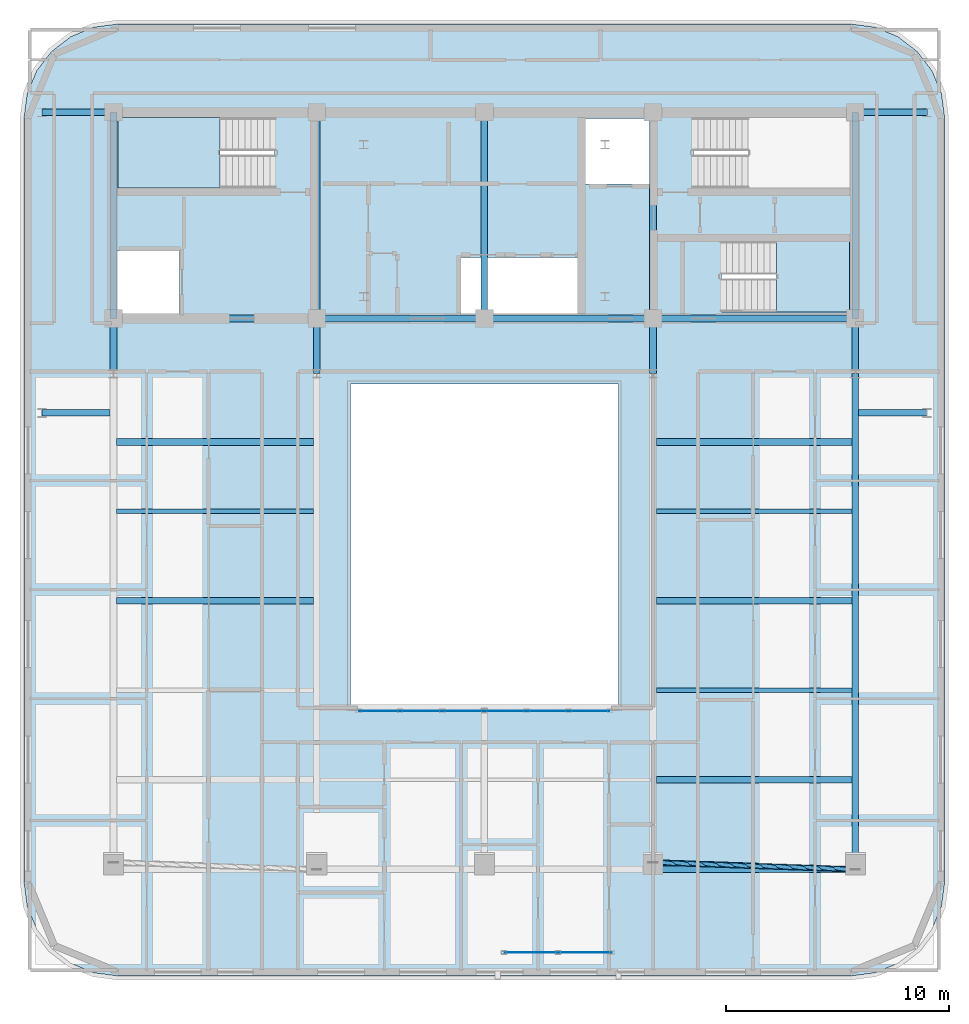
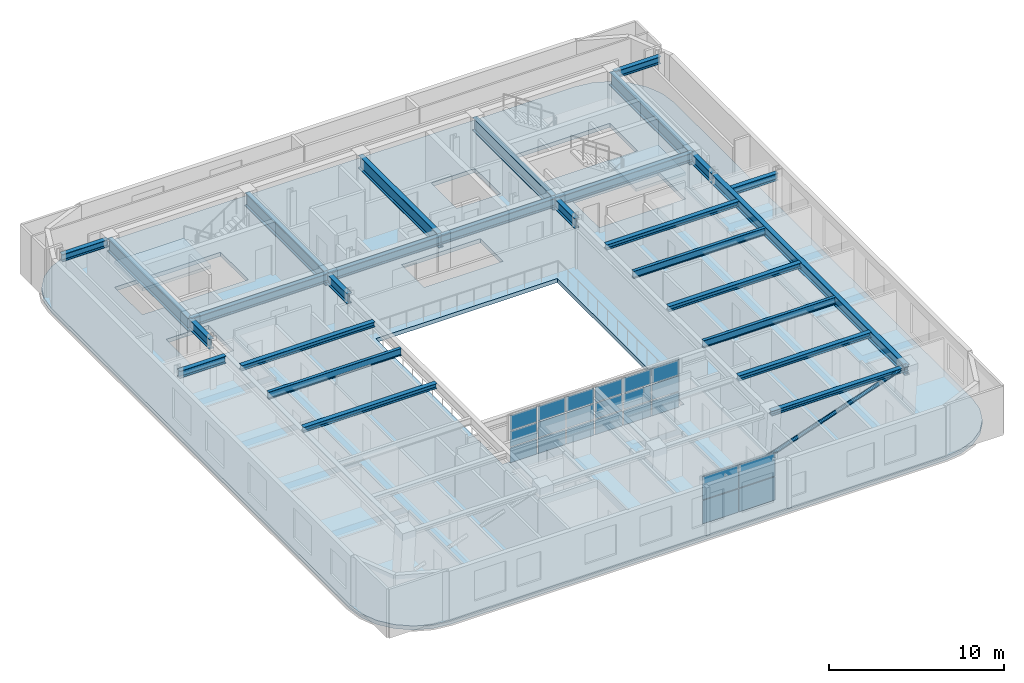
# One storey, part 4 of 14: 27 beams, 22 plates, 3 slabs, 1 member, 4 elements without a shape of their own.
"""IFC4 building model written with IfcOpenShell, lengths in metres."""

from ifc_helpers import new_model, si_unit, direction, frame, origin, origin_2d, place, context, subcontext, project, spatial, polyline, rectangle, hollow_circle, i_section, outline, extrude, material, layer, layer_set, material_profile, profile_set, type_object, element, aggregate, save


model = new_model("IFC4")

# Units and contexts
model_context = context("Model", 3, precision=1e-05, world=origin(), true_north=direction((0.0, 1.0)))
body_context = subcontext(model_context, "Body", "Model", "MODEL_VIEW")
ifc_project = project(units=[si_unit("LENGTHUNIT", "METRE"), si_unit("AREAUNIT", "SQUARE_METRE"), si_unit("VOLUMEUNIT", "CUBIC_METRE"), si_unit("PLANEANGLEUNIT", "RADIAN"), si_unit("MASSUNIT", "GRAM", prefix="KILO")], contexts=[model_context])

# Site, building, storey
site_placement = place(None, origin())
site = spatial("IfcSite", under=ifc_project, at=site_placement, CompositionType="ELEMENT")
building_placement = place(site_placement, origin())
building = spatial("IfcBuilding", under=site, at=building_placement, Name="Zarnavel Station Tower", CompositionType="ELEMENT")
storey_placement = place(building_placement, frame((0.0, 0.0, 251.0)))
storey = spatial("IfcBuildingStorey", under=building, at=storey_placement, Name="L68", CompositionType="ELEMENT", Elevation=251.0)

# Member
ifc_material_1 = material(Name="Steel S355J2", Category="steel")
ifc_material_profile_1 = material_profile(ifc_material_1, hollow_circle(Radius=0.122314453125, WallThickness=0.010009765625, at=origin_2d()), Name="CHS244.5x10")
ifc_profile_set_1 = profile_set([ifc_material_profile_1], Name="Steel S355J2")
member_type = type_object("IfcMemberType", Name="DB_EXT_CHS245", PredefinedType="BRACE", material=ifc_profile_set_1)
member_placement = place(storey_placement, frame((36.35009765625, 3.482421875, 0.0), z_axis=(0.934954219705, -0.032032800772, 0.35331927025), x_axis=(0.034241266505, 0.999413595899, 0.0)))
element("IfcMember", 1, at=member_placement, inside=storey, type_object=member_type, Name="L68 Persian Exterior Diagonal Frame Brace 2", PredefinedType="BRACE", context=body_context, shape_type="SweptSolid", body=[
    extrude(hollow_circle(Radius=0.122314453125, WallThickness=0.010009765625, at=origin_2d()), origin(), (0.0, 0.0, 1.0), 9.679443359375),
])

# Beams
ifc_material_2 = material(Name="Steel S355J2", Category="steel")
ifc_material_profile_2 = material_profile(ifc_material_2, i_section(OverallWidth=0.300048828125, OverallDepth=0.320068359375, WebThickness=0.011474609375, FlangeThickness=0.0205078125, FilletRadius=0.027099609375, at=origin_2d()), Name="HEB320")
ifc_profile_set_2 = profile_set([ifc_material_profile_2], Name="Steel S355J2")
beam_type_1 = type_object("IfcBeamType", Name="EB_HEB320", PredefinedType="SPANDREL", material=ifc_profile_set_2)
beam_1_placement = place(storey_placement, frame((36.35009765625, 3.17236328125, 3.260009765625), z_axis=(1.0, 0.0, 0.0), x_axis=(0.0, 1.0, 0.0)))
element("IfcBeam", 2, at=beam_1_placement, inside=storey, type_object=beam_type_1, Name="L68 South Raked Spandrel 4", PredefinedType="SPANDREL", context=body_context, shape_type="SweptSolid", body=[
    extrude(i_section(OverallWidth=0.300048828125, OverallDepth=0.320068359375, WebThickness=0.011474609375, FlangeThickness=0.0205078125, FilletRadius=0.027099609375, at=origin_2d()), origin(), (0.0, 0.0, 1.0), 9.0498046875),
])
ifc_material_3 = material(Name="Steel S355J2", Category="steel")
ifc_material_profile_3 = material_profile(ifc_material_3, i_section(OverallWidth=0.300048828125, OverallDepth=0.35009765625, WebThickness=0.010009765625, FlangeThickness=0.017578125, FilletRadius=0.027099609375, at=origin_2d()), Name="HEA360")
ifc_profile_set_3 = profile_set([ifc_material_profile_3], Name="Steel S355J2")
beam_type_2 = type_object("IfcBeamType", Name="FB_HEA360", PredefinedType="BEAM", material=ifc_profile_set_3)
beam_2_placement = place(storey_placement, frame((36.4951171875, 7.177001953125, 3.2451171875), z_axis=(1.0, 0.0, 0.0), x_axis=(0.0, 1.0, 0.0)))
element("IfcBeam", 3, at=beam_2_placement, inside=storey, type_object=beam_type_2, Name="L68 East Bay Beam 1", PredefinedType="BEAM", context=body_context, shape_type="SweptSolid", body=[
    extrude(i_section(OverallWidth=0.300048828125, OverallDepth=0.35009765625, WebThickness=0.010009765625, FlangeThickness=0.017578125, FilletRadius=0.027099609375, at=origin_2d()), origin(), (0.0, 0.0, 1.0), 8.759765625),
])
beam_3_placement = place(storey_placement, frame((12.344970703125, 15.186279296875, 3.2451171875), z_axis=(1.0, 0.0, 0.0), x_axis=(0.0, 1.0, 0.0)))
element("IfcBeam", 4, at=beam_3_placement, inside=storey, type_object=beam_type_2, Name="L68 West Bay Beam 3", PredefinedType="BEAM", context=body_context, shape_type="SweptSolid", body=[
    extrude(i_section(OverallWidth=0.300048828125, OverallDepth=0.35009765625, WebThickness=0.010009765625, FlangeThickness=0.017578125, FilletRadius=0.027099609375, at=origin_2d()), origin(), (0.0, 0.0, 1.0), 8.81005859375),
])
beam_4_placement = place(storey_placement, frame((36.4951171875, 15.186279296875, 3.2451171875), z_axis=(1.0, 0.0, 0.0), x_axis=(0.0, 1.0, 0.0)))
element("IfcBeam", 5, at=beam_4_placement, inside=storey, type_object=beam_type_2, Name="L68 East Bay Beam 3", PredefinedType="BEAM", context=body_context, shape_type="SweptSolid", body=[
    extrude(i_section(OverallWidth=0.300048828125, OverallDepth=0.35009765625, WebThickness=0.010009765625, FlangeThickness=0.017578125, FilletRadius=0.027099609375, at=origin_2d()), origin(), (0.0, 0.0, 1.0), 8.759765625),
])
beam_5_placement = place(storey_placement, frame((12.344970703125, 22.29541015625, 3.2451171875), z_axis=(1.0, 0.0, 0.0), x_axis=(0.0, 1.0, 0.0)))
element("IfcBeam", 6, at=beam_5_placement, inside=storey, type_object=beam_type_2, Name="L68 West Bay Beam 5", PredefinedType="BEAM", context=body_context, shape_type="SweptSolid", body=[
    extrude(i_section(OverallWidth=0.300048828125, OverallDepth=0.35009765625, WebThickness=0.010009765625, FlangeThickness=0.017578125, FilletRadius=0.027099609375, at=origin_2d()), origin(), (0.0, 0.0, 1.0), 8.81005859375),
])
beam_6_placement = place(storey_placement, frame((36.4951171875, 22.29541015625, 3.2451171875), z_axis=(1.0, 0.0, 0.0), x_axis=(0.0, 1.0, 0.0)))
element("IfcBeam", 7, at=beam_6_placement, inside=storey, type_object=beam_type_2, Name="L68 East Bay Beam 5", PredefinedType="BEAM", context=body_context, shape_type="SweptSolid", body=[
    extrude(i_section(OverallWidth=0.300048828125, OverallDepth=0.35009765625, WebThickness=0.010009765625, FlangeThickness=0.017578125, FilletRadius=0.027099609375, at=origin_2d()), origin(), (0.0, 0.0, 1.0), 8.759765625),
])
ifc_material_4 = material(Name="Steel S355J2", Category="steel")
ifc_material_profile_4 = material_profile(ifc_material_4, i_section(OverallWidth=0.199951171875, OverallDepth=0.5, WebThickness=0.01025390625, FlangeThickness=0.01611328125, FilletRadius=0.02099609375, at=origin_2d()), Name="IPE500")
ifc_profile_set_4 = profile_set([ifc_material_profile_4], Name="Steel S355J2")
beam_type_3 = type_object("IfcBeamType", Name="FB_IPE500", PredefinedType="BEAM", material=ifc_profile_set_4)
beam_7_placement = place(storey_placement, frame((36.4951171875, 11.181640625, 3.169921875), z_axis=(1.0, 0.0, 0.0), x_axis=(0.0, 1.0, 0.0)))
element("IfcBeam", 8, at=beam_7_placement, inside=storey, type_object=beam_type_3, Name="L68 East Bay Beam 2", PredefinedType="BEAM", context=body_context, shape_type="SweptSolid", body=[
    extrude(i_section(OverallWidth=0.199951171875, OverallDepth=0.5, WebThickness=0.01025390625, FlangeThickness=0.01611328125, FilletRadius=0.02099609375, at=origin_2d()), origin(), (0.0, 0.0, 1.0), 8.759765625),
])
beam_8_placement = place(storey_placement, frame((12.344970703125, 19.19091796875, 3.169921875), z_axis=(1.0, 0.0, 0.0), x_axis=(0.0, 1.0, 0.0)))
element("IfcBeam", 9, at=beam_8_placement, inside=storey, type_object=beam_type_3, Name="L68 West Bay Beam 4", PredefinedType="BEAM", context=body_context, shape_type="SweptSolid", body=[
    extrude(i_section(OverallWidth=0.199951171875, OverallDepth=0.5, WebThickness=0.01025390625, FlangeThickness=0.01611328125, FilletRadius=0.02099609375, at=origin_2d()), origin(), (0.0, 0.0, 1.0), 8.81005859375),
])
beam_9_placement = place(storey_placement, frame((36.4951171875, 19.19091796875, 3.169921875), z_axis=(1.0, 0.0, 0.0), x_axis=(0.0, 1.0, 0.0)))
element("IfcBeam", 10, at=beam_9_placement, inside=storey, type_object=beam_type_3, Name="L68 East Bay Beam 4", PredefinedType="BEAM", context=body_context, shape_type="SweptSolid", body=[
    extrude(i_section(OverallWidth=0.199951171875, OverallDepth=0.5, WebThickness=0.01025390625, FlangeThickness=0.01611328125, FilletRadius=0.02099609375, at=origin_2d()), origin(), (0.0, 0.0, 1.0), 8.759765625),
])
ifc_material_5 = material(Name="Steel S355J2", Category="steel")
ifc_material_profile_5 = material_profile(ifc_material_5, i_section(OverallWidth=0.300048828125, OverallDepth=0.5, WebThickness=0.014404296875, FlangeThickness=0.028076171875, FilletRadius=0.027099609375, at=origin_2d()), Name="HEB500")
ifc_profile_set_5 = profile_set([ifc_material_profile_5], Name="Steel S355J2")
beam_type_4 = type_object("IfcBeamType", Name="FG_HEB500", PredefinedType="USERDEFINED", material=ifc_profile_set_5)
for number, where, z_axis, x_axis, name in (
    (11, (9.0, 23.60009765625, 3.169921875), (1.0, 0.0, 0.0), (0.0, 1.0, 0.0), "L68 West Wing South Tie 1"),
    (12, (9.0, 37.050048828125, 3.169921875), (1.0, 0.0, 0.0), (0.0, 1.0, 0.0), "L68 West Wing North Tie 1"),
):
    element("IfcBeam", number, at=place(storey_placement, frame(where, z_axis=z_axis, x_axis=x_axis)), inside=storey, type_object=beam_type_4, Name=name, ObjectType="GIRDER", PredefinedType="USERDEFINED", context=body_context, shape_type="SweptSolid", body=[
        extrude(i_section(OverallWidth=0.300048828125, OverallDepth=0.5, WebThickness=0.014404296875, FlangeThickness=0.028076171875, FilletRadius=0.027099609375, at=origin_2d()), origin(), (0.0, 0.0, 1.0), 3.054931640625),
    ])
for number, where, z_axis, x_axis, name in (
    (13, (45.544921875, 23.60009765625, 3.169921875), (1.0, 0.0, 0.0), (0.0, 1.0, 0.0), "L68 East Wing South Tie 1"),
    (14, (45.544921875, 37.050048828125, 3.169921875), (1.0, 0.0, 0.0), (0.0, 1.0, 0.0), "L68 East Wing North Tie 1"),
):
    element("IfcBeam", number, at=place(storey_placement, frame(where, z_axis=z_axis, x_axis=x_axis)), inside=storey, type_object=beam_type_4, Name=name, ObjectType="GIRDER", PredefinedType="USERDEFINED", context=body_context, shape_type="SweptSolid", body=[
        extrude(i_section(OverallWidth=0.300048828125, OverallDepth=0.5, WebThickness=0.014404296875, FlangeThickness=0.028076171875, FilletRadius=0.027099609375, at=origin_2d()), origin(), (0.0, 0.0, 1.0), 3.05517578125),
    ])
ifc_material_6 = material(Name="Steel S355J2", Category="steel")
ifc_material_profile_6 = material_profile(ifc_material_6, i_section(OverallWidth=0.300048828125, OverallDepth=0.60009765625, WebThickness=0.015380859375, FlangeThickness=0.030029296875, FilletRadius=0.027099609375, at=origin_2d()), Name="HEB600")
ifc_profile_set_6 = profile_set([ifc_material_profile_6], Name="Steel S355J2")
beam_type_5 = type_object("IfcBeamType", Name="FG_HEB600", PredefinedType="USERDEFINED", material=ifc_profile_set_6)
beam_10_placement = place(storey_placement, frame((12.199951171875, 27.820068359375, 3.1201171875), z_axis=(1.0, 0.0, 0.0), x_axis=(0.0, 1.0, 0.0)))
element("IfcBeam", 15, at=beam_10_placement, inside=storey, type_object=beam_type_5, Name="L68 Core Front Coupling Beam 1", ObjectType="GIRDER", PredefinedType="USERDEFINED", context=body_context, shape_type="SweptSolid", body=[
    extrude(i_section(OverallWidth=0.300048828125, OverallDepth=0.60009765625, WebThickness=0.015380859375, FlangeThickness=0.030029296875, FilletRadius=0.027099609375, at=origin_2d()), origin(), (0.0, 0.0, 1.0), 9.10009765625),
])
beam_11_placement = place(storey_placement, frame((21.300048828125, 27.820068359375, 3.1201171875), z_axis=(1.0, 0.0, 0.0), x_axis=(0.0, 1.0, 0.0)))
element("IfcBeam", 16, at=beam_11_placement, inside=storey, type_object=beam_type_5, Name="L68 Core Front Coupling Beam 2", ObjectType="GIRDER", PredefinedType="USERDEFINED", context=body_context, shape_type="SweptSolid", body=[
    extrude(i_section(OverallWidth=0.300048828125, OverallDepth=0.60009765625, WebThickness=0.015380859375, FlangeThickness=0.030029296875, FilletRadius=0.027099609375, at=origin_2d()), origin(), (0.0, 0.0, 1.0), 7.5),
])
beam_12_placement = place(storey_placement, frame((28.800048828125, 27.820068359375, 3.1201171875), z_axis=(1.0, 0.0, 0.0), x_axis=(0.0, 1.0, 0.0)))
element("IfcBeam", 17, at=beam_12_placement, inside=storey, type_object=beam_type_5, Name="L68 Core Front Coupling Beam 3", ObjectType="GIRDER", PredefinedType="USERDEFINED", context=body_context, shape_type="SweptSolid", body=[
    extrude(i_section(OverallWidth=0.300048828125, OverallDepth=0.60009765625, WebThickness=0.015380859375, FlangeThickness=0.030029296875, FilletRadius=0.027099609375, at=origin_2d()), origin(), (0.0, 0.0, 1.0), 7.550048828125),
])
beam_13_placement = place(storey_placement, frame((36.35009765625, 27.820068359375, 3.1201171875), z_axis=(1.0, 0.0, 0.0), x_axis=(0.0, 1.0, 0.0)))
element("IfcBeam", 18, at=beam_13_placement, inside=storey, type_object=beam_type_5, Name="L68 Core Front Coupling Beam 4", ObjectType="GIRDER", PredefinedType="USERDEFINED", context=body_context, shape_type="SweptSolid", body=[
    extrude(i_section(OverallWidth=0.300048828125, OverallDepth=0.60009765625, WebThickness=0.015380859375, FlangeThickness=0.030029296875, FilletRadius=0.027099609375, at=origin_2d()), origin(), (0.0, 0.0, 1.0), 9.0498046875),
])
ifc_material_7 = material(Name="Steel S355J2", Category="steel")
ifc_material_profile_7 = material_profile(ifc_material_7, i_section(OverallWidth=0.300048828125, OverallDepth=0.699951171875, WebThickness=0.01708984375, FlangeThickness=0.031982421875, FilletRadius=0.027099609375, at=origin_2d()), Name="HEB700")
ifc_profile_set_7 = profile_set([ifc_material_profile_7], Name="Steel S355J2")
beam_type_6 = type_object("IfcBeamType", Name="FG_HEB700", PredefinedType="USERDEFINED", material=ifc_profile_set_7)
for number, where, z_axis, x_axis, name in (
    (19, (12.199951171875, 25.35009765625, 3.070068359375), (0.0, 1.0, 0.0), (-1.0, 0.0, 0.0), "L68 Inner-Zone NS Girder 1"),
    (20, (21.300048828125, 25.35009765625, 3.070068359375), (0.0, 1.0, 0.0), (-1.0, 0.0, 0.0), "L68 Inner-Zone NS Girder 2"),
    (21, (36.35009765625, 25.35009765625, 3.070068359375), (0.0, 1.0, 0.0), (-1.0, 0.0, 0.0), "L68 Inner-Zone NS Girder 4"),
):
    element("IfcBeam", number, at=place(storey_placement, frame(where, z_axis=z_axis, x_axis=x_axis)), inside=storey, type_object=beam_type_6, Name=name, ObjectType="GIRDER", PredefinedType="USERDEFINED", context=body_context, shape_type="SweptSolid", body=[
        extrude(i_section(OverallWidth=0.300048828125, OverallDepth=0.699951171875, WebThickness=0.01708984375, FlangeThickness=0.031982421875, FilletRadius=0.027099609375, at=origin_2d()), origin(), (0.0, 0.0, 1.0), 2.469970703125),
    ])
beam_14_placement = place(storey_placement, frame((45.39990234375, 3.17236328125, 3.070068359375), z_axis=(0.0, 1.0, 0.0), x_axis=(-1.0, 0.0, 0.0)))
element("IfcBeam", 22, at=beam_14_placement, inside=storey, type_object=beam_type_6, Name="L68 South-Zone NS Girder 5", ObjectType="GIRDER", PredefinedType="USERDEFINED", context=body_context, shape_type="SweptSolid", body=[
    extrude(i_section(OverallWidth=0.300048828125, OverallDepth=0.699951171875, WebThickness=0.01708984375, FlangeThickness=0.031982421875, FilletRadius=0.027099609375, at=origin_2d()), origin(), (0.0, 0.0, 1.0), 22.177734375),
])
beam_15_placement = place(storey_placement, frame((45.39990234375, 25.35009765625, 3.070068359375), z_axis=(0.0, 1.0, 0.0), x_axis=(-1.0, 0.0, 0.0)))
element("IfcBeam", 23, at=beam_15_placement, inside=storey, type_object=beam_type_6, Name="L68 Inner-Zone NS Girder 5", ObjectType="GIRDER", PredefinedType="USERDEFINED", context=body_context, shape_type="SweptSolid", body=[
    extrude(i_section(OverallWidth=0.300048828125, OverallDepth=0.699951171875, WebThickness=0.01708984375, FlangeThickness=0.031982421875, FilletRadius=0.027099609375, at=origin_2d()), origin(), (0.0, 0.0, 1.0), 2.469970703125),
])
ifc_material_8 = material(Name="Steel S460M", Category="steel")
ifc_material_profile_8 = material_profile(ifc_material_8, i_section(OverallWidth=0.302001953125, OverallDepth=0.909912109375, WebThickness=0.02099609375, FlangeThickness=0.0400390625, FilletRadius=0.030029296875, at=origin_2d()), Name="HEM900")
ifc_profile_set_8 = profile_set([ifc_material_profile_8], Name="Steel S460M")
beam_type_7 = type_object("IfcBeamType", Name="TG_HEM900", PredefinedType="USERDEFINED", material=ifc_profile_set_8)
for number, where, z_axis, x_axis, name in (
    (24, (12.199951171875, 27.820068359375, 2.965087890625), (0.0, 1.0, 0.0), (-1.0, 0.0, 0.0), "L68 Core Spine Coupling Girder 1"),
    (25, (21.300048828125, 27.820068359375, 2.965087890625), (0.0, 1.0, 0.0), (-1.0, 0.0, 0.0), "L68 Core Spine Coupling Girder 2"),
    (26, (28.800048828125, 27.820068359375, 2.965087890625), (0.0, 1.0, 0.0), (-1.0, 0.0, 0.0), "L68 Core Spine Coupling Girder 3"),
    (27, (36.35009765625, 27.820068359375, 2.965087890625), (0.0, 1.0, 0.0), (-1.0, 0.0, 0.0), "L68 Core Spine Coupling Girder 4"),
    (28, (45.39990234375, 27.820068359375, 2.965087890625), (0.0, 1.0, 0.0), (-1.0, 0.0, 0.0), "L68 Core Spine Coupling Girder 5"),
):
    element("IfcBeam", number, at=place(storey_placement, frame(where, z_axis=z_axis, x_axis=x_axis)), inside=storey, type_object=beam_type_7, Name=name, ObjectType="GIRDER", PredefinedType="USERDEFINED", context=body_context, shape_type="SweptSolid", body=[
        extrude(i_section(OverallWidth=0.302001953125, OverallDepth=0.909912109375, WebThickness=0.02099609375, FlangeThickness=0.0400390625, FilletRadius=0.030029296875, at=origin_2d()), origin(), (0.0, 0.0, 1.0), 9.22998046875),
    ])

# Curtain wall, plates
ifc_material_9 = material(Name="Aluminium Dark Anodised and Solar-Control Glass", Category="aluminium")
ifc_layer_1 = layer(ifc_material_9, 0.179931640625)
ifc_layer_set_1 = layer_set([ifc_layer_1], Name="CWS6")
curtain_wall_type = type_object("IfcCurtainWallType", Name="CWS6", PredefinedType="NOTDEFINED", material=ifc_layer_set_1)
curtain_wall_1_placement = place(storey_placement, origin())
curtain_wall_1 = element("IfcCurtainWall", 29, at=curtain_wall_1_placement, inside=storey, type_object=curtain_wall_type, Name="L68 Curtain Wall CWS6-LOG-L68", PredefinedType="NOTDEFINED")
ifc_material_10 = material(Name="Double Low-E Dark Solar-Control Glass", Category="glass")
ifc_layer_2 = layer(ifc_material_10, 0.0380859375)
ifc_layer_set_2 = layer_set([ifc_layer_2], Name="CWS6_PNL")
plate_type = type_object("IfcPlateType", Name="CWS6_PNL", PredefinedType="CURTAIN_PANEL", material=ifc_layer_set_2)
plate_1_placement = place(storey_placement, frame((30.889892578125, -0.550048828125, 0.06005859375), z_axis=(0.0, 0.0, 1.0), x_axis=(1.0, 0.0, 0.0)))
plate_1 = element("IfcPlate", 30, at=plate_1_placement, type_object=plate_type, Name="CW6 panel 1.1", PredefinedType="CURTAIN_PANEL", context=body_context, shape_type="SweptSolid", body=[
    extrude(rectangle(XDim=2.360107421875, YDim=0.028076171875, at=origin_2d()), origin(), (0.0, 0.0, 1.0), 1.6201171875),
])
plate_2_placement = place(storey_placement, frame((30.889892578125, -0.550048828125, 1.739990234375), z_axis=(0.0, 0.0, 1.0), x_axis=(1.0, 0.0, 0.0)))
plate_2 = element("IfcPlate", 31, at=plate_2_placement, type_object=plate_type, Name="CW6 panel 1.2", PredefinedType="CURTAIN_PANEL", context=body_context, shape_type="SweptSolid", body=[
    extrude(rectangle(XDim=2.360107421875, YDim=0.028076171875, at=origin_2d()), origin(), (0.0, 0.0, 1.0), 1.6201171875),
])
plate_3_placement = place(storey_placement, frame((33.31005859375, -0.550048828125, 0.06005859375), z_axis=(0.0, 0.0, 1.0), x_axis=(1.0, 0.0, 0.0)))
plate_3 = element("IfcPlate", 32, at=plate_3_placement, type_object=plate_type, Name="CW6 panel 2.1", PredefinedType="CURTAIN_PANEL", context=body_context, shape_type="SweptSolid", body=[
    extrude(rectangle(XDim=2.360107421875, YDim=0.028076171875, at=origin_2d()), origin(), (0.0, 0.0, 1.0), 1.6201171875),
])
plate_4_placement = place(storey_placement, frame((33.31005859375, -0.550048828125, 1.739990234375), z_axis=(0.0, 0.0, 1.0), x_axis=(1.0, 0.0, 0.0)))
plate_4 = element("IfcPlate", 33, at=plate_4_placement, type_object=plate_type, Name="CW6 panel 2.2", PredefinedType="CURTAIN_PANEL", context=body_context, shape_type="SweptSolid", body=[
    extrude(rectangle(XDim=2.360107421875, YDim=0.028076171875, at=origin_2d()), origin(), (0.0, 0.0, 1.0), 1.6201171875),
])
aggregate(curtain_wall_1, [plate_1, plate_2, plate_3, plate_4])

curtain_wall_2_placement = place(storey_placement, origin())
curtain_wall_2 = element("IfcCurtainWall", 34, at=curtain_wall_2_placement, inside=storey, type_object=curtain_wall_type, Name="L68 Curtain Wall CWS6-L68-AS", PredefinedType="NOTDEFINED")
plate_5_placement = place(storey_placement, frame((24.106689453125, 10.25, 0.06005859375), z_axis=(0.0, 0.0, 1.0), x_axis=(1.0, 0.0, 0.0)))
plate_5 = element("IfcPlate", 35, at=plate_5_placement, type_object=plate_type, Name="CW6 panel 1.1", PredefinedType="CURTAIN_PANEL", context=body_context, shape_type="SweptSolid", body=[
    extrude(rectangle(XDim=1.793212890625, YDim=0.028076171875, at=origin_2d()), origin(), (0.0, 0.0, 1.0), 1.050048828125),
])
plate_6_placement = place(storey_placement, frame((24.106689453125, 10.25, 1.169921875), z_axis=(0.0, 0.0, 1.0), x_axis=(1.0, 0.0, 0.0)))
plate_6 = element("IfcPlate", 36, at=plate_6_placement, type_object=plate_type, Name="CW6 panel 1.2", PredefinedType="CURTAIN_PANEL", context=body_context, shape_type="SweptSolid", body=[
    extrude(rectangle(XDim=1.793212890625, YDim=0.028076171875, at=origin_2d()), origin(), (0.0, 0.0, 1.0), 1.080078125),
])
plate_7_placement = place(storey_placement, frame((24.106689453125, 10.25, 2.31005859375), z_axis=(0.0, 0.0, 1.0), x_axis=(1.0, 0.0, 0.0)))
plate_7 = element("IfcPlate", 37, at=plate_7_placement, type_object=plate_type, Name="CW6 panel 1.3", PredefinedType="CURTAIN_PANEL", context=body_context, shape_type="SweptSolid", body=[
    extrude(rectangle(XDim=1.793212890625, YDim=0.028076171875, at=origin_2d()), origin(), (0.0, 0.0, 1.0), 1.050048828125),
])
plate_8_placement = place(storey_placement, frame((25.97509765625, 10.25, 0.06005859375), z_axis=(0.0, 0.0, 1.0), x_axis=(1.0, 0.0, 0.0)))
plate_8 = element("IfcPlate", 38, at=plate_8_placement, type_object=plate_type, Name="CW6 panel 2.1", PredefinedType="CURTAIN_PANEL", context=body_context, shape_type="SweptSolid", body=[
    extrude(rectangle(XDim=1.8232421875, YDim=0.028076171875, at=origin_2d()), origin(), (0.0, 0.0, 1.0), 1.050048828125),
])
plate_9_placement = place(storey_placement, frame((25.97509765625, 10.25, 1.169921875), z_axis=(0.0, 0.0, 1.0), x_axis=(1.0, 0.0, 0.0)))
plate_9 = element("IfcPlate", 39, at=plate_9_placement, type_object=plate_type, Name="CW6 panel 2.2", PredefinedType="CURTAIN_PANEL", context=body_context, shape_type="SweptSolid", body=[
    extrude(rectangle(XDim=1.8232421875, YDim=0.028076171875, at=origin_2d()), origin(), (0.0, 0.0, 1.0), 1.080078125),
])
plate_10_placement = place(storey_placement, frame((25.97509765625, 10.25, 2.31005859375), z_axis=(0.0, 0.0, 1.0), x_axis=(1.0, 0.0, 0.0)))
plate_10 = element("IfcPlate", 40, at=plate_10_placement, type_object=plate_type, Name="CW6 panel 2.3", PredefinedType="CURTAIN_PANEL", context=body_context, shape_type="SweptSolid", body=[
    extrude(rectangle(XDim=1.8232421875, YDim=0.028076171875, at=origin_2d()), origin(), (0.0, 0.0, 1.0), 1.050048828125),
])
plate_11_placement = place(storey_placement, frame((27.8583984375, 10.25, 0.06005859375), z_axis=(0.0, 0.0, 1.0), x_axis=(1.0, 0.0, 0.0)))
plate_11 = element("IfcPlate", 41, at=plate_11_placement, type_object=plate_type, Name="CW6 panel 3.1", PredefinedType="CURTAIN_PANEL", context=body_context, shape_type="SweptSolid", body=[
    extrude(rectangle(XDim=1.8232421875, YDim=0.028076171875, at=origin_2d()), origin(), (0.0, 0.0, 1.0), 1.050048828125),
])
plate_12_placement = place(storey_placement, frame((27.8583984375, 10.25, 1.169921875), z_axis=(0.0, 0.0, 1.0), x_axis=(1.0, 0.0, 0.0)))
plate_12 = element("IfcPlate", 42, at=plate_12_placement, type_object=plate_type, Name="CW6 panel 3.2", PredefinedType="CURTAIN_PANEL", context=body_context, shape_type="SweptSolid", body=[
    extrude(rectangle(XDim=1.8232421875, YDim=0.028076171875, at=origin_2d()), origin(), (0.0, 0.0, 1.0), 1.080078125),
])
plate_13_placement = place(storey_placement, frame((27.8583984375, 10.25, 2.31005859375), z_axis=(0.0, 0.0, 1.0), x_axis=(1.0, 0.0, 0.0)))
plate_13 = element("IfcPlate", 43, at=plate_13_placement, type_object=plate_type, Name="CW6 panel 3.3", PredefinedType="CURTAIN_PANEL", context=body_context, shape_type="SweptSolid", body=[
    extrude(rectangle(XDim=1.8232421875, YDim=0.028076171875, at=origin_2d()), origin(), (0.0, 0.0, 1.0), 1.050048828125),
])
plate_14_placement = place(storey_placement, frame((29.74169921875, 10.25, 0.06005859375), z_axis=(0.0, 0.0, 1.0), x_axis=(1.0, 0.0, 0.0)))
plate_14 = element("IfcPlate", 44, at=plate_14_placement, type_object=plate_type, Name="CW6 panel 4.1", PredefinedType="CURTAIN_PANEL", context=body_context, shape_type="SweptSolid", body=[
    extrude(rectangle(XDim=1.8232421875, YDim=0.028076171875, at=origin_2d()), origin(), (0.0, 0.0, 1.0), 1.050048828125),
])
plate_15_placement = place(storey_placement, frame((29.74169921875, 10.25, 1.169921875), z_axis=(0.0, 0.0, 1.0), x_axis=(1.0, 0.0, 0.0)))
plate_15 = element("IfcPlate", 45, at=plate_15_placement, type_object=plate_type, Name="CW6 panel 4.2", PredefinedType="CURTAIN_PANEL", context=body_context, shape_type="SweptSolid", body=[
    extrude(rectangle(XDim=1.8232421875, YDim=0.028076171875, at=origin_2d()), origin(), (0.0, 0.0, 1.0), 1.080078125),
])
plate_16_placement = place(storey_placement, frame((29.74169921875, 10.25, 2.31005859375), z_axis=(0.0, 0.0, 1.0), x_axis=(1.0, 0.0, 0.0)))
plate_16 = element("IfcPlate", 46, at=plate_16_placement, type_object=plate_type, Name="CW6 panel 4.3", PredefinedType="CURTAIN_PANEL", context=body_context, shape_type="SweptSolid", body=[
    extrude(rectangle(XDim=1.8232421875, YDim=0.028076171875, at=origin_2d()), origin(), (0.0, 0.0, 1.0), 1.050048828125),
])
plate_17_placement = place(storey_placement, frame((31.625, 10.25, 0.06005859375), z_axis=(0.0, 0.0, 1.0), x_axis=(1.0, 0.0, 0.0)))
plate_17 = element("IfcPlate", 47, at=plate_17_placement, type_object=plate_type, Name="CW6 panel 5.1", PredefinedType="CURTAIN_PANEL", context=body_context, shape_type="SweptSolid", body=[
    extrude(rectangle(XDim=1.8232421875, YDim=0.028076171875, at=origin_2d()), origin(), (0.0, 0.0, 1.0), 1.050048828125),
])
plate_18_placement = place(storey_placement, frame((31.625, 10.25, 1.169921875), z_axis=(0.0, 0.0, 1.0), x_axis=(1.0, 0.0, 0.0)))
plate_18 = element("IfcPlate", 48, at=plate_18_placement, type_object=plate_type, Name="CW6 panel 5.2", PredefinedType="CURTAIN_PANEL", context=body_context, shape_type="SweptSolid", body=[
    extrude(rectangle(XDim=1.8232421875, YDim=0.028076171875, at=origin_2d()), origin(), (0.0, 0.0, 1.0), 1.080078125),
])
plate_19_placement = place(storey_placement, frame((31.625, 10.25, 2.31005859375), z_axis=(0.0, 0.0, 1.0), x_axis=(1.0, 0.0, 0.0)))
plate_19 = element("IfcPlate", 49, at=plate_19_placement, type_object=plate_type, Name="CW6 panel 5.3", PredefinedType="CURTAIN_PANEL", context=body_context, shape_type="SweptSolid", body=[
    extrude(rectangle(XDim=1.8232421875, YDim=0.028076171875, at=origin_2d()), origin(), (0.0, 0.0, 1.0), 1.050048828125),
])
plate_20_placement = place(storey_placement, frame((33.493408203125, 10.25, 0.06005859375), z_axis=(0.0, 0.0, 1.0), x_axis=(1.0, 0.0, 0.0)))
plate_20 = element("IfcPlate", 50, at=plate_20_placement, type_object=plate_type, Name="CW6 panel 6.1", PredefinedType="CURTAIN_PANEL", context=body_context, shape_type="SweptSolid", body=[
    extrude(rectangle(XDim=1.793212890625, YDim=0.028076171875, at=origin_2d()), origin(), (0.0, 0.0, 1.0), 1.050048828125),
])
plate_21_placement = place(storey_placement, frame((33.493408203125, 10.25, 1.169921875), z_axis=(0.0, 0.0, 1.0), x_axis=(1.0, 0.0, 0.0)))
plate_21 = element("IfcPlate", 51, at=plate_21_placement, type_object=plate_type, Name="CW6 panel 6.2", PredefinedType="CURTAIN_PANEL", context=body_context, shape_type="SweptSolid", body=[
    extrude(rectangle(XDim=1.793212890625, YDim=0.028076171875, at=origin_2d()), origin(), (0.0, 0.0, 1.0), 1.080078125),
])
plate_22_placement = place(storey_placement, frame((33.493408203125, 10.25, 2.31005859375), z_axis=(0.0, 0.0, 1.0), x_axis=(1.0, 0.0, 0.0)))
plate_22 = element("IfcPlate", 52, at=plate_22_placement, type_object=plate_type, Name="CW6 panel 6.3", PredefinedType="CURTAIN_PANEL", context=body_context, shape_type="SweptSolid", body=[
    extrude(rectangle(XDim=1.793212890625, YDim=0.028076171875, at=origin_2d()), origin(), (0.0, 0.0, 1.0), 1.050048828125),
])
aggregate(curtain_wall_2, [plate_5, plate_6, plate_7, plate_8, plate_9, plate_10, plate_11, plate_12, plate_13, plate_14, plate_15, plate_16, plate_17, plate_18, plate_19, plate_20, plate_21, plate_22])

# Slab
ifc_material_11 = material(Name="Concrete C45/55", Category="concrete")
ifc_layer_3 = layer(ifc_material_11, 0.280029296875)
ifc_layer_set_3 = layer_set([ifc_layer_3], Name="SL_FLR_280")
slab_type_1 = type_object("IfcSlabType", Name="SL_FLR_280", PredefinedType="FLOOR", material=ifc_layer_set_3)
slab_1_placement = place(storey_placement, frame((0.0, 0.0, -0.280029296875)))
element("IfcSlab", 53, at=slab_1_placement, inside=storey, type_object=slab_type_1, Name="L68 Structural Floor Slab", PredefinedType="FLOOR", context=body_context, shape_type="SweptSolid", body=[
    extrude(outline(polyline([(45.199951171875, -1.60009765625), (46.287109375, -1.456787109375), (47.300048828125, -1.037353515625), (48.169921875, -0.369873046875), (48.83740234375, 0.5), (49.2568359375, 1.512939453125), (49.39990234375, 2.60009765625), (49.39990234375, 36.800048828125), (49.2568359375, 37.886962890625), (48.83740234375, 38.89990234375), (48.169921875, 39.769775390625), (47.300048828125, 40.437255859375), (46.287109375, 40.85693359375), (45.199951171875, 41.0), (12.39990234375, 41.0), (11.31298828125, 40.85693359375), (10.300048828125, 40.437255859375), (9.43017578125, 39.769775390625), (8.7626953125, 38.89990234375), (8.343017578125, 37.886962890625), (8.199951171875, 36.800048828125), (8.199951171875, 2.60009765625), (8.343017578125, 1.512939453125), (8.7626953125, 0.5), (9.43017578125, -0.369873046875), (10.300048828125, -1.037353515625), (11.31298828125, -1.456787109375), (12.39990234375, -1.60009765625), (45.199951171875, -1.60009765625)]), holes=[polyline([(12.39990234375, 33.659912109375), (19.409912109375, 33.659912109375), (19.409912109375, 36.820068359375), (12.39990234375, 36.820068359375), (12.39990234375, 33.659912109375)]), polyline([(38.14990234375, 33.659912109375), (45.159912109375, 33.659912109375), (45.159912109375, 36.820068359375), (38.14990234375, 36.820068359375), (38.14990234375, 33.659912109375)]), polyline([(39.419921875, 28.1201171875), (45.14990234375, 28.1201171875), (45.14990234375, 31.280029296875), (39.419921875, 31.280029296875), (39.419921875, 28.1201171875)]), polyline([(12.35009765625, 27.949951171875), (15.14990234375, 27.949951171875), (15.14990234375, 30.85009765625), (12.35009765625, 30.85009765625), (12.35009765625, 27.949951171875)]), polyline([(33.320068359375, 33.85009765625), (36.2099609375, 33.85009765625), (36.2099609375, 36.780029296875), (33.320068359375, 36.780029296875), (33.320068359375, 33.85009765625)]), polyline([(27.75, 27.949951171875), (32.97998046875, 27.949951171875), (32.97998046875, 30.550048828125), (27.75, 30.550048828125), (27.75, 27.949951171875)]), polyline([(22.800048828125, 10.39990234375), (34.800048828125, 10.39990234375), (34.800048828125, 24.89990234375), (22.800048828125, 24.89990234375), (22.800048828125, 10.39990234375)])]), origin(), (0.0, 0.0, 1.0), 0.280029296875),
])

# Stair, slab
ifc_material_12 = material(Name="Concrete C45/55", Category="concrete")
stair_type = type_object("IfcStairType", Name="ST_CORE_150", PredefinedType="HALF_TURN_STAIR", material=ifc_material_12)
stair_1_placement = place(storey_placement, origin())
stair_1 = element("IfcStair", 54, at=stair_1_placement, inside=storey, type_object=stair_type, Name="L68 Core Exit Stair ST1", PredefinedType="HALF_TURN_STAIR")
ifc_material_13 = material(Name="Concrete C45/55", Category="concrete")
ifc_layer_4 = layer(ifc_material_13, 0.199951171875)
ifc_layer_set_4 = layer_set([ifc_layer_4], Name="SL_STAIR_LAND_200")
slab_type_2 = type_object("IfcSlabType", Name="SL_STAIR_LAND_200", PredefinedType="LANDING", material=ifc_layer_set_4)
slab_2_placement = place(storey_placement, frame((0.0, 0.0, 1.64990234375)))
slab_2 = element("IfcSlab", 55, at=slab_2_placement, type_object=slab_type_2, Name="ST1 landing 1", PredefinedType="LANDING", context=body_context, shape_type="SweptSolid", body=[
    extrude(outline(polyline([(16.9599609375, 36.820068359375), (12.39990234375, 36.820068359375), (12.39990234375, 33.659912109375), (16.9599609375, 33.659912109375), (16.9599609375, 36.820068359375)])), origin(), (0.0, 0.0, 1.0), 0.2001953125),
])
aggregate(stair_1, [slab_2])

stair_2_placement = place(storey_placement, origin())
stair_2 = element("IfcStair", 56, at=stair_2_placement, inside=storey, type_object=stair_type, Name="L68 Core Exit Stair ST3", PredefinedType="HALF_TURN_STAIR")
slab_3_placement = place(storey_placement, frame((0.0, 0.0, 1.64990234375)))
slab_3 = element("IfcSlab", 57, at=slab_3_placement, type_object=slab_type_2, Name="ST3 landing 1", PredefinedType="LANDING", context=body_context, shape_type="SweptSolid", body=[
    extrude(outline(polyline([(41.8701171875, 28.1201171875), (45.14990234375, 28.1201171875), (45.14990234375, 31.280029296875), (41.8701171875, 31.280029296875), (41.8701171875, 28.1201171875)])), origin(), (0.0, 0.0, 1.0), 0.2001953125),
])
aggregate(stair_2, [slab_3])

save(model, "model.ifc")
